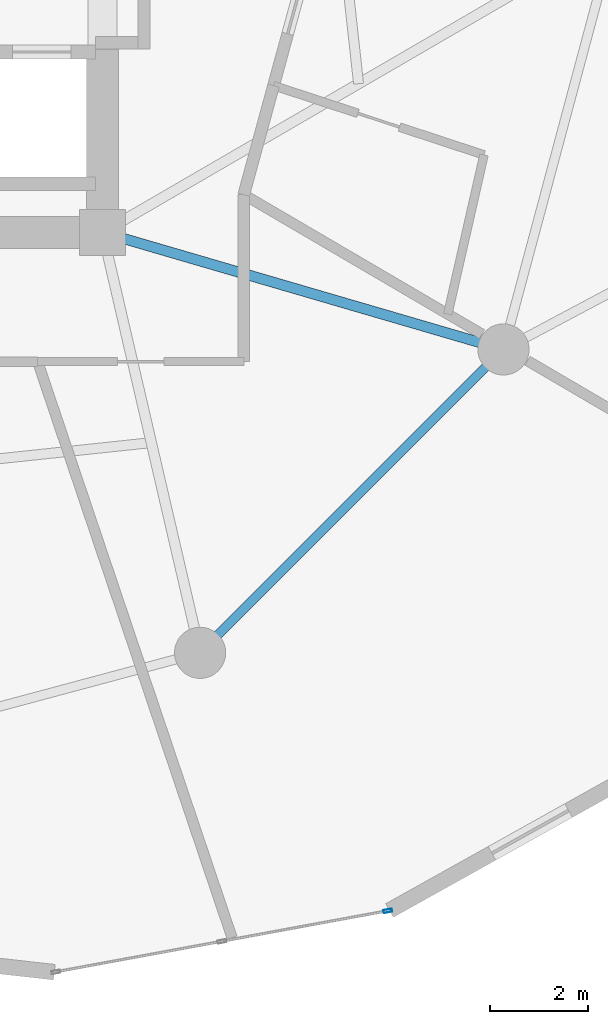
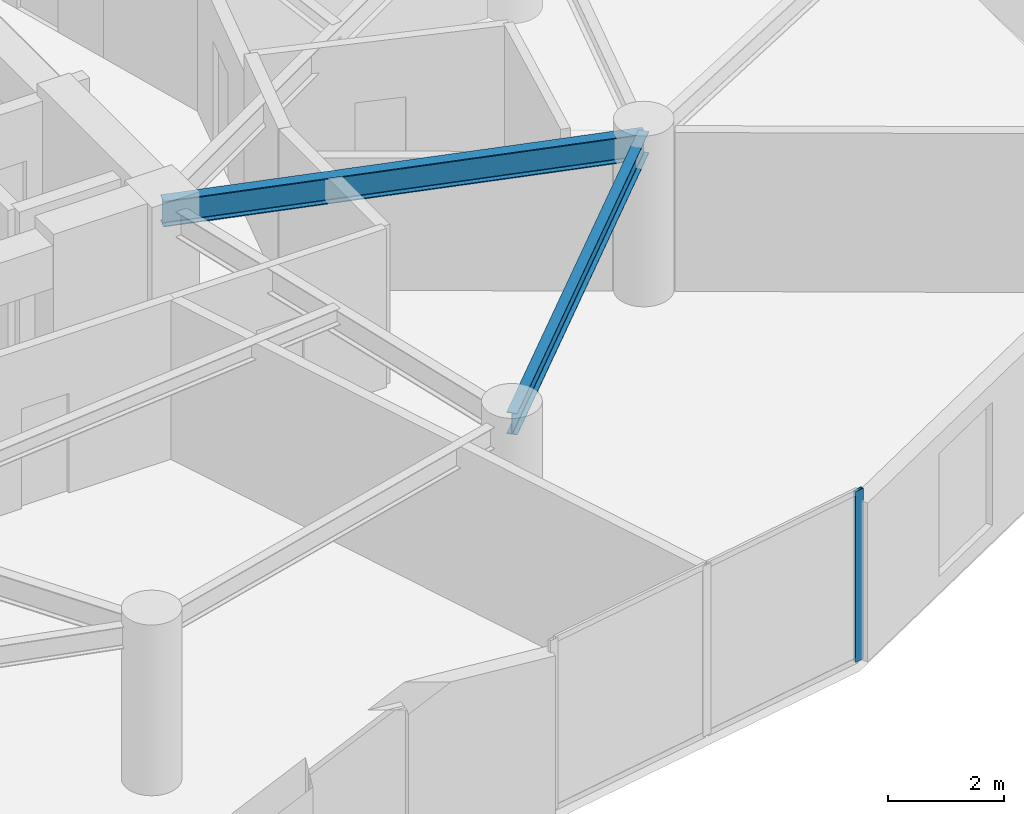
# One storey, part 10 of 23: 2 beams, 1 member, 1 element without a shape of its own.
"""IFC4 building model written with IfcOpenShell, lengths in metres."""

import ifcopenshell
import ifcopenshell.guid

model = None  # the IFC model being written
_history = None  # IfcOwnerHistory: only IFC2X3 demands one
_inside = {}  # id of a spatial element -> (the spatial element, [elements in it])
_under = {}  # id of a project, library or spatial element -> (it, [spatial elements below it])
_declared = {}  # id of a project -> (the project, [libraries it declares])
_typed = {}  # id of a type object -> (the type object, [elements of that type])
_made_of = {}  # id of a material, layer set ... -> (it, [elements and type objects made of it])


def new_model(schema):
    """Start an empty IFC model of exactly this schema.

    Asked for "IFC4X3", IfcOpenShell would pick the latest addendum, in which some entities
    have other attributes; the version numbers below select the first issue.
    IFC2X3 requires an IfcOwnerHistory on every rooted entity: one is made here for all.
    """
    global model, _history
    if schema == "IFC4X3":
        model = ifcopenshell.file(schema_version=(4, 3, 0, 0))
    else:
        model = ifcopenshell.file(schema=schema)
    _inside.clear()
    _under.clear()
    _declared.clear()
    _typed.clear()
    _made_of.clear()
    _history = None
    if model.schema == "IFC2X3":
        org = make("IfcOrganization", Name="unknown")
        user = make(
            "IfcPersonAndOrganization",
            ThePerson=make("IfcPerson", FamilyName="unknown"),
            TheOrganization=org,
        )
        app = make(
            "IfcApplication",
            ApplicationDeveloper=org,
            Version="unknown",
            ApplicationFullName="unknown",
            ApplicationIdentifier="unknown",
        )
        _history = make(
            "IfcOwnerHistory",
            OwningUser=user,
            OwningApplication=app,
            ChangeAction="ADDED",
            CreationDate=0,
        )
    return model


def make(cls, **values):
    """One entity of the class cls with the attributes given. An attribute that is None is left unset."""
    return model.create_entity(
        cls, **{name: value for name, value in values.items() if value is not None}
    )


def rooted(cls, **values):
    """An entity with a GlobalId (a new one), such as an element, a storey or a relation."""
    return make(cls, GlobalId=ifcopenshell.guid.new(), OwnerHistory=_history, **values)


def si_unit(unit_type, name, prefix=None):
    """IfcSIUnit, for example si_unit("LENGTHUNIT", "METRE", prefix="MILLI")."""
    return make("IfcSIUnit", UnitType=unit_type, Prefix=prefix, Name=name)


def assignment(units):
    """IfcUnitAssignment: the units of a project."""
    return None if units is None else make("IfcUnitAssignment", Units=units)


def point(xyz):
    """IfcCartesianPoint."""
    return None if xyz is None else make("IfcCartesianPoint", Coordinates=xyz)


def direction(xyz):
    """IfcDirection."""
    return None if xyz is None else make("IfcDirection", DirectionRatios=xyz)


def frame(location, z_axis=None, x_axis=None):
    """IfcAxis2Placement3D, a coordinate frame: its origin and axes. An axis left out is left unset."""
    return make(
        "IfcAxis2Placement3D",
        Location=point(location),
        Axis=direction(z_axis),
        RefDirection=direction(x_axis),
    )


def frame_2d(location, x_axis=None):
    """IfcAxis2Placement2D, a coordinate frame in the plane: its origin and x axis."""
    return make(
        "IfcAxis2Placement2D", Location=point(location), RefDirection=direction(x_axis)
    )


def origin():
    """The frame at (0, 0, 0) with its axes left unset."""
    return frame((0.0, 0.0, 0.0))


def origin_2d():
    """The frame at (0, 0) in the plane with its x axis left unset."""
    return frame_2d((0.0, 0.0))


def place(relative_to, where):
    """IfcLocalPlacement: puts the frame where relative to a parent placement (None: the world)."""
    return make(
        "IfcLocalPlacement", PlacementRelTo=relative_to, RelativePlacement=where
    )


def context(
    kind, dimensions, precision=None, world=None, true_north=None, identifier=None
):
    """IfcGeometricRepresentationContext, for example the 3D "Model" context."""
    return make(
        "IfcGeometricRepresentationContext",
        ContextIdentifier=identifier,
        ContextType=kind,
        CoordinateSpaceDimension=dimensions,
        Precision=precision,
        WorldCoordinateSystem=world,
        TrueNorth=true_north,
    )


def subcontext(parent, identifier, kind, view, scale=None):
    """IfcGeometricRepresentationSubContext, for example "Body" below "Model"."""
    return make(
        "IfcGeometricRepresentationSubContext",
        ContextIdentifier=identifier,
        ContextType=kind,
        ParentContext=parent,
        TargetScale=scale,
        TargetView=view,
    )


def project(units=None, contexts=None):
    """IfcProject with its units and contexts."""
    return rooted(
        "IfcProject",
        Name="project",
        RepresentationContexts=contexts,
        UnitsInContext=assignment(units),
    )


def spatial(cls, under=None, at=None, **own):
    """A site, building, storey or space (cls), placed at a placement, below another one or the project."""
    s = rooted(cls, ObjectPlacement=at, **own)
    if under is not None:
        _under.setdefault(under.id(), (under, []))[1].append(s)
    return s


def profile(cls, at=None, kind="AREA", **sizes):
    """A parametric profile (cls). Its sizes go by their IFC names, for example OverallWidth=200.0."""
    return make(cls, ProfileType=kind, Position=at, **sizes)


def hollow_rectangle(**sizes):
    """IfcRectangleHollowProfileDef."""
    return profile("IfcRectangleHollowProfileDef", **sizes)


def i_section(**sizes):
    """IfcIShapeProfileDef."""
    return profile("IfcIShapeProfileDef", **sizes)


def extrude(swept, where, along, depth):
    """IfcExtrudedAreaSolid: the profile swept, set in the frame where, extruded along a direction by depth."""
    return make(
        "IfcExtrudedAreaSolid",
        SweptArea=swept,
        Position=where,
        ExtrudedDirection=direction(along),
        Depth=depth,
    )


def shape(context_of_items, identifier, shape_type, items):
    """IfcShapeRepresentation: the items that make up one representation, for example the "Body"."""
    return make(
        "IfcShapeRepresentation",
        ContextOfItems=context_of_items,
        RepresentationIdentifier=identifier,
        RepresentationType=shape_type,
        Items=items,
    )


def source(mapping_origin, context_of_items, identifier, shape_type, items):
    """IfcRepresentationMap: a shape defined once, which mapped items show again and again."""
    return make(
        "IfcRepresentationMap",
        MappingOrigin=mapping_origin,
        MappedRepresentation=shape(context_of_items, identifier, shape_type, items),
    )


def transform(
    local_origin,
    x_axis=None,
    y_axis=None,
    z_axis=None,
    scale=None,
    scale2=None,
    scale3=None,
    uniform=True,
):
    """IfcCartesianTransformationOperator3D, or its non-uniform kind. x_axis, y_axis, z_axis: its Axis1, 2, 3."""
    if uniform:
        return make(
            "IfcCartesianTransformationOperator3D",
            Axis1=direction(x_axis),
            Axis2=direction(y_axis),
            LocalOrigin=point(local_origin),
            Scale=scale,
            Axis3=direction(z_axis),
        )
    return make(
        "IfcCartesianTransformationOperator3DnonUniform",
        Axis1=direction(x_axis),
        Axis2=direction(y_axis),
        LocalOrigin=point(local_origin),
        Scale=scale,
        Axis3=direction(z_axis),
        Scale2=scale2,
        Scale3=scale3,
    )


def mapped(mapping_source, mapping_target):
    """IfcMappedItem: shows the shape of a source again, moved by a transform."""
    return make(
        "IfcMappedItem", MappingSource=mapping_source, MappingTarget=mapping_target
    )


def material(Name=None, Category=None):
    """IfcMaterial."""
    return make("IfcMaterial", Name=Name, Category=Category)


def layer(
    of_material, thickness, ventilated=None, Name=None, Category=None, Priority=None
):
    """IfcMaterialLayer: one layer of a wall or slab, of a material (None: an air gap)."""
    return make(
        "IfcMaterialLayer",
        Material=of_material,
        LayerThickness=thickness,
        IsVentilated=ventilated,
        Name=Name,
        Category=Category,
        Priority=Priority,
    )


def layer_set(layers, Name=None):
    """IfcMaterialLayerSet."""
    return make("IfcMaterialLayerSet", MaterialLayers=layers, LayerSetName=Name)


def material_profile(
    of_material, cross_section, Name=None, Category=None, Priority=None
):
    """IfcMaterialProfile: a cross section and its material."""
    return make(
        "IfcMaterialProfile",
        Name=Name,
        Material=of_material,
        Profile=cross_section,
        Priority=Priority,
        Category=Category,
    )


def profile_set(profiles, Name=None, composite=None):
    """IfcMaterialProfileSet."""
    return make(
        "IfcMaterialProfileSet",
        Name=Name,
        MaterialProfiles=profiles,
        CompositeProfile=composite,
    )


def made_of(thing, what):
    """Note that an element or type object is made of a material, layer set ...; save() writes the relation."""
    if what is not None:
        _made_of.setdefault(what.id(), (what, []))[1].append(thing)
    return thing


def type_object(cls, material=None, **own):
    """A type object (cls), such as IfcWallType, which elements share."""
    return made_of(rooted(cls, **own), material)


def element(
    cls,
    number,
    at=None,
    inside=None,
    cuts=None,
    type_object=None,
    material=None,
    context=None,
    identifier="Body",
    shape_type=None,
    held_by="IfcProductDefinitionShape",
    body=None,
    shapes=None,
    **own,
):
    """One element of the class cls, such as IfcWall. Its Tag is "e" and its number.

    at: its placement. inside: the storey or other place that contains it. cuts: it is an
    opening in that element (IfcRelVoidsElement). A single representation is given by context,
    identifier, shape_type and body (its items); several are given by shapes. held_by: the class
    of the entity that holds the representations. save() writes the other relations.
    """
    e = rooted(cls, Tag="e%d" % number, ObjectPlacement=at, **own)
    if body is not None:
        shapes = [shape(context, identifier, shape_type, body)]
    if shapes is not None:
        e.Representation = make(held_by, Representations=shapes)
    if inside is not None:
        _inside.setdefault(inside.id(), (inside, []))[1].append(e)
    if cuts is not None:
        rooted(
            "IfcRelVoidsElement", RelatingBuildingElement=cuts, RelatedOpeningElement=e
        )
    if type_object is not None:
        _typed.setdefault(type_object.id(), (type_object, []))[1].append(e)
    return made_of(e, material)


def aggregate(whole, parts):
    """IfcRelAggregates: a whole, such as a stair, and the parts it consists of."""
    return rooted("IfcRelAggregates", RelatingObject=whole, RelatedObjects=parts)


def save(model, path):
    """Write the relations noted so far, then the file.

    IfcRelAggregates (storeys below a building ...), IfcRelContainedInSpatialStructure (elements
    in a storey), IfcRelDefinesByType, IfcRelAssociatesMaterial and IfcRelDeclares: one each for
    every whole, place, type object, material and project.
    """
    for whole, parts in _under.values():
        aggregate(whole, parts)
    for where, things in _inside.values():
        rooted(
            "IfcRelContainedInSpatialStructure",
            RelatedElements=things,
            RelatingStructure=where,
        )
    for kind, things in _typed.values():
        rooted("IfcRelDefinesByType", RelatedObjects=things, RelatingType=kind)
    for what, things in _made_of.values():
        rooted("IfcRelAssociatesMaterial", RelatedObjects=things, RelatingMaterial=what)
    for by, libraries in _declared.values():
        rooted("IfcRelDeclares", RelatingContext=by, RelatedDefinitions=libraries)
    model.write(path)


model = new_model("IFC4")

# Units and contexts
model_context = context("Model", 3, precision=1e-05, world=origin(), true_north=direction((0.0, 1.0)))
body_context = subcontext(model_context, "Body", "Model", "MODEL_VIEW")
ifc_project = project(units=[si_unit("LENGTHUNIT", "METRE"), si_unit("AREAUNIT", "SQUARE_METRE"), si_unit("VOLUMEUNIT", "CUBIC_METRE"), si_unit("PLANEANGLEUNIT", "RADIAN"), si_unit("MASSUNIT", "GRAM", prefix="KILO")], contexts=[model_context])

# Site, building, storey
site_placement = place(None, origin())
site = spatial("IfcSite", under=ifc_project, at=site_placement, CompositionType="ELEMENT")
building_placement = place(site_placement, origin())
building = spatial("IfcBuilding", under=site, at=building_placement, Name="Solvirekh Grand Hotel", CompositionType="ELEMENT")
storey_placement = place(building_placement, frame((0.0, 0.0, 109.800048828125)))
storey = spatial("IfcBuildingStorey", under=building, at=storey_placement, Name="L27", CompositionType="ELEMENT", Elevation=109.800048828125)

# Beams
ifc_material_1 = material(Name="Steel S355", Category="steel")
ifc_material_profile_1 = material_profile(ifc_material_1, i_section(OverallWidth=0.2119140625, OverallDepth=0.5439453125, WebThickness=0.011962890625, FlangeThickness=0.01904296875, FilletRadius=0.013916015625, at=origin_2d()), Name="W530X123")
ifc_profile_set_1 = profile_set([ifc_material_profile_1], Name="Steel S355")
beam_type_1 = type_object("IfcBeamType", Name="Beam_Radial_W530H", PredefinedType="BEAM", material=ifc_profile_set_1)
beam_1_placement = place(storey_placement, frame((6.5, -6.10009765625, 3.077880859375), z_axis=(0.959942195467, -0.28019811092, 0.0), x_axis=(0.28019811092, 0.959942195467, 0.0)))
element("IfcBeam", 1, at=beam_1_placement, inside=storey, type_object=beam_type_1, Name="L27 radial floor beam R12", PredefinedType="BEAM", context=body_context, shape_type="SweptSolid", body=[
    extrude(i_section(OverallWidth=0.2119140625, OverallDepth=0.5439453125, WebThickness=0.011962890625, FlangeThickness=0.01904296875, FilletRadius=0.013916015625, at=origin_2d()), origin(), (0.0, 0.0, 1.0), 8.56494140625),
])
ifc_material_profile_2 = material_profile(ifc_material_1, i_section(OverallWidth=0.18994140625, OverallDepth=0.45703125, WebThickness=0.009033203125, FlangeThickness=0.013916015625, FilletRadius=0.012939453125, at=origin_2d()), Name="W460X74")
ifc_profile_set_2 = profile_set([ifc_material_profile_2], Name="Steel S355")
beam_type_2 = type_object("IfcBeamType", Name="Spandrel_Ring_W460", PredefinedType="SPANDREL", material=ifc_profile_set_2)
beam_2_placement = place(storey_placement, frame((8.5, -14.721923828125, 3.1220703125), z_axis=(0.707106781187, 0.707106781187, 0.0), x_axis=(-0.707106781187, 0.707106781187, 0.0)))
element("IfcBeam", 2, at=beam_2_placement, inside=storey, type_object=beam_type_2, Name="L27 perimeter spandrel beam 11", PredefinedType="SPANDREL", context=body_context, shape_type="SweptSolid", body=[
    extrude(i_section(OverallWidth=0.18994140625, OverallDepth=0.45703125, WebThickness=0.009033203125, FlangeThickness=0.013916015625, FilletRadius=0.012939453125, at=origin_2d()), origin(), (0.0, 0.0, 1.0), 8.799072265625),
])

# Curtain wall, member
ifc_material_2 = material(Name="Anodized Bronze Aluminium 6063-T6", Category="aluminium")
ifc_layer = layer(ifc_material_2, 0.175048828125)
ifc_layer_set = layer_set([ifc_layer], Name="Anodized Bronze Aluminium 6063-T6")
curtain_wall_type = type_object("IfcCurtainWallType", Name="CW_Sys3_MidZoneFlushBronzeCW", PredefinedType="NOTDEFINED", material=ifc_layer_set)
curtain_wall_placement = place(storey_placement, origin())
curtain_wall = element("IfcCurtainWall", 3, at=curtain_wall_placement, inside=storey, type_object=curtain_wall_type, Name="L27 unitised bronze-glass curtain wall CW-L27-C18", PredefinedType="NOTDEFINED")
ifc_material_profile_3 = material_profile(ifc_material_2, hollow_rectangle(XDim=0.06494140625, YDim=0.175048828125, WallThickness=0.0048828125, at=origin_2d()), Name="ALU RHS 175X65X5")
ifc_profile_set_3 = profile_set([ifc_material_profile_3], Name="Anodized Bronze Aluminium 6063-T6")
member_type = type_object("IfcMemberType", Name="CWMullion_Sys3", PredefinedType="MULLION", material=ifc_profile_set_3)
shared_shape = source(origin(), body_context, "Body", "SweptSolid", [
    extrude(hollow_rectangle(XDim=0.06494140625, YDim=0.175048828125, WallThickness=0.0048828125, at=origin_2d()), origin(), (0.0, 0.0, 1.0), 3.599853515625),
])
member_placement = place(storey_placement, frame((12.35302734375, -20.013916015625, 0.0), z_axis=(0.0, 0.0, 1.0), x_axis=(-0.180987633873, 0.983485371719, 0.0)))
member = element("IfcMember", 4, at=member_placement, type_object=member_type, Name="U03 mullion 3", PredefinedType="MULLION", context=body_context, shape_type="MappedRepresentation", body=[
    mapped(shared_shape, transform((0.0, 0.0, 0.0), x_axis=(1.0, 0.0, 0.0), y_axis=(0.0, 1.0, 0.0), z_axis=(0.0, 0.0, 1.0), scale=1.0)),
])
aggregate(curtain_wall, [member])

save(model, "model.ifc")
